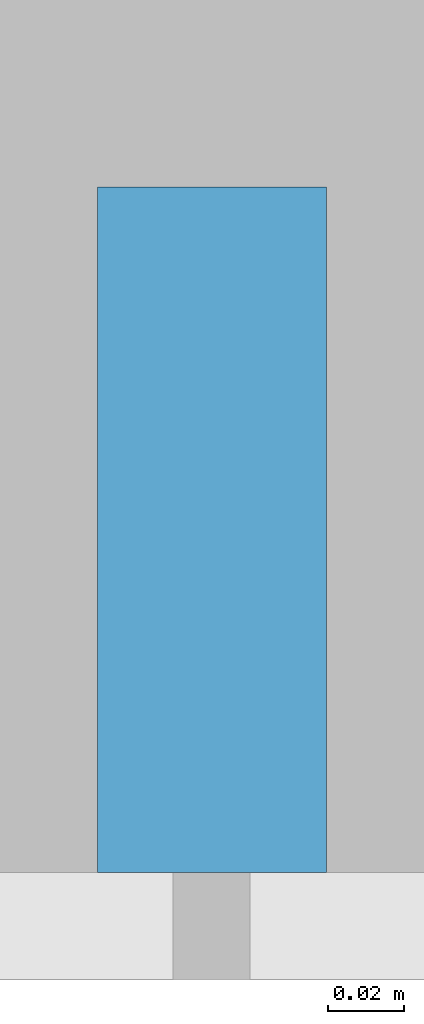
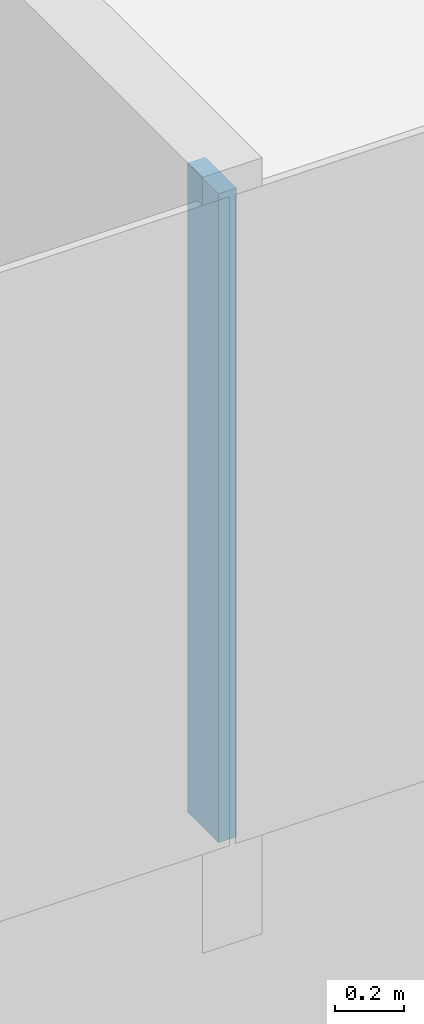
# One storey, part 3 of 27: 1 member, 1 element without a shape of its own.
"""IFC4 building model written with IfcOpenShell, lengths in metres."""

from ifc_helpers import new_model, si_unit, direction, frame, origin, origin_2d, place, context, subcontext, project, spatial, rectangle, extrude, material, layer, layer_set, material_profile, profile_set, type_object, element, aggregate, save


model = new_model("IFC4")

# Units and contexts
model_context = context("Model", 3, precision=1e-05, world=origin(), true_north=direction((0.0, 1.0)))
body_context = subcontext(model_context, "Body", "Model", "MODEL_VIEW")
ifc_project = project(units=[si_unit("LENGTHUNIT", "METRE"), si_unit("AREAUNIT", "SQUARE_METRE"), si_unit("VOLUMEUNIT", "CUBIC_METRE"), si_unit("PLANEANGLEUNIT", "RADIAN"), si_unit("MASSUNIT", "GRAM", prefix="KILO")], contexts=[model_context])

# Site, building, storey
site_placement = place(None, origin())
site = spatial("IfcSite", under=ifc_project, at=site_placement, CompositionType="ELEMENT")
building_placement = place(site_placement, origin())
building = spatial("IfcBuilding", under=site, at=building_placement, Name="Hakoniwa Tower and Hamabe Station Hall", CompositionType="ELEMENT")
storey_placement = place(building_placement, frame((0.0, 0.0, 166.199951171875)))
storey = spatial("IfcBuildingStorey", under=building, at=storey_placement, Name="L47", CompositionType="ELEMENT", Elevation=166.199951171875)

# Curtain wall, member
ifc_material_1 = material(Name="Dark low-e laminated glass", Category="glass")
ifc_layer = layer(ifc_material_1, 0.199951171875)
ifc_layer_set = layer_set([ifc_layer], Name="CW-1 UNITISED GUEST")
curtain_wall_type = type_object("IfcCurtainWallType", Name="CW-1 UNITISED GUEST", PredefinedType="NOTDEFINED", material=ifc_layer_set)
curtain_wall_placement = place(storey_placement, origin())
curtain_wall = element("IfcCurtainWall", 1, at=curtain_wall_placement, inside=storey, type_object=curtain_wall_type, Name="CW-1 curtain wall", PredefinedType="NOTDEFINED")
ifc_material_2 = material(Name="Aluminium 6063-T5 black anodised", Category="aluminium")
ifc_material_profile = material_profile(ifc_material_2, rectangle(XDim=0.06005859375, YDim=0.179931640625, at=origin_2d()), Name="CW-1 MULLION 60X180")
ifc_profile_set = profile_set([ifc_material_profile], Name="Aluminium 6063-T5 black anodised")
member_type = type_object("IfcMemberType", Name="CW-1 MULLION 60X180", PredefinedType="MULLION", material=ifc_profile_set)
member_placement = place(storey_placement, frame((-8.39990234375, -19.181884765625, 0.35009765625), z_axis=(0.0, 0.0, 1.0), x_axis=(1.0, 0.0, 0.0)))
member = element("IfcMember", 2, at=member_placement, type_object=member_type, Name="CW-1 mullion", PredefinedType="MULLION", context=body_context, shape_type="SweptSolid", body=[
    extrude(rectangle(XDim=0.06005859375, YDim=0.179931640625, at=origin_2d()), origin(), (0.0, 0.0, 1.0), 2.300048828125),
])
aggregate(curtain_wall, [member])

save(model, "model.ifc")
